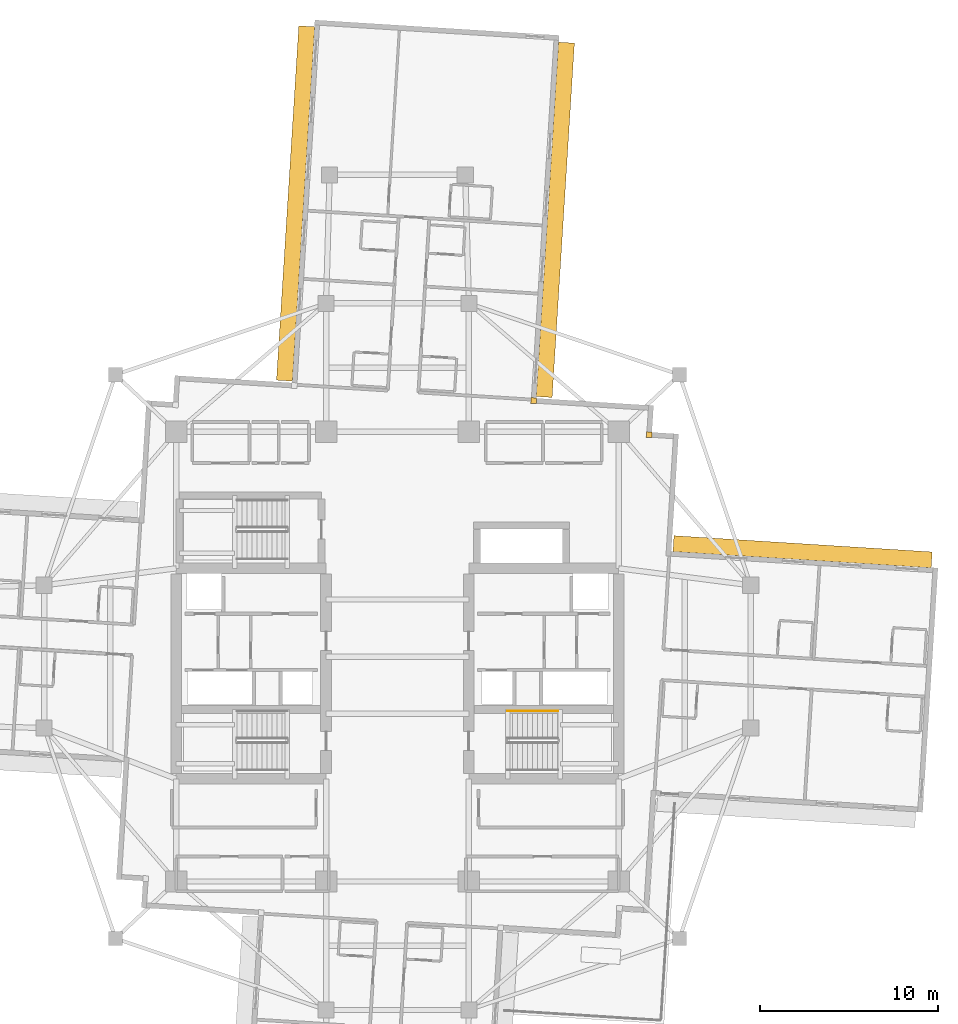
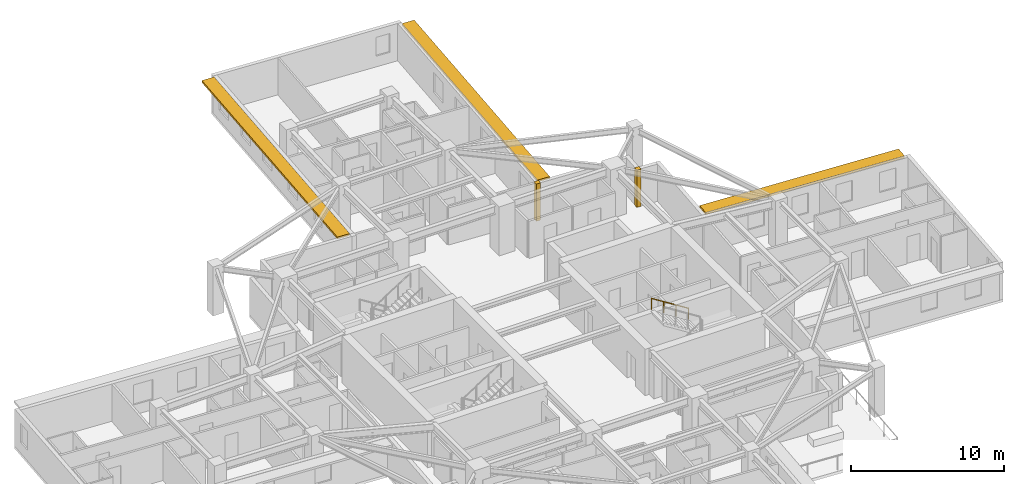
# One storey, part 14 of 14: 3 shading devices, 2 coverings, 1 railing.
"""IFC4 building model written with IfcOpenShell, lengths in metres."""

from ifc_helpers import new_model, si_unit, direction, frame, origin, origin_2d, place, context, subcontext, project, spatial, rectangle, circle, extrude, material, layer, layer_set, type_object, element, save


model = new_model("IFC4")

# Units and contexts
model_context = context("Model", 3, precision=1e-05, world=origin(), true_north=direction((0.0, 1.0)))
body_context = subcontext(model_context, "Body", "Model", "MODEL_VIEW")
ifc_project = project(units=[si_unit("LENGTHUNIT", "METRE"), si_unit("AREAUNIT", "SQUARE_METRE"), si_unit("VOLUMEUNIT", "CUBIC_METRE"), si_unit("PLANEANGLEUNIT", "RADIAN"), si_unit("MASSUNIT", "GRAM", prefix="KILO")], contexts=[model_context])

# Site, building, storey
site_placement = place(None, origin())
site = spatial("IfcSite", under=ifc_project, at=site_placement, CompositionType="ELEMENT")
building_placement = place(site_placement, origin())
building = spatial("IfcBuilding", under=site, at=building_placement, Name="Qingluan Cross Belvedere", CompositionType="ELEMENT")
storey_placement = place(building_placement, frame((0.0, 0.0, 168.300048828125)))
storey = spatial("IfcBuildingStorey", under=building, at=storey_placement, Name="L42", CompositionType="ELEMENT", Elevation=168.300048828125)

# Coverings
ifc_material_1 = material(Name="Precast concrete C45", Category="concrete")
ifc_layer_1 = layer(ifc_material_1, 0.1201171875, Name="ConcreteSpandrelCladding_120")
ifc_layer_set_1 = layer_set([ifc_layer_1], Name="Precast concrete C45")
covering_type = type_object("IfcCoveringType", Name="ConcreteSpandrelCladding_120", PredefinedType="CLADDING", material=ifc_layer_set_1)
for number, where, z_axis, x_axis, name in (
    (1, (14.10888671875, 12.438720703125, 0.0), (0.0, 0.0, 1.0), (0.998026728428, -0.062790519529, 0.0), "Corner closure L42-NE1"),
    (2, (7.635986328125, 14.348876953125, 0.0), (0.0, 0.0, 1.0), (0.998026728428, -0.062790519529, 0.0), "Corner closure L42-NE2"),
):
    element("IfcCovering", number, at=place(storey_placement, frame(where, z_axis=z_axis, x_axis=x_axis)), inside=storey, type_object=covering_type, Name=name, PredefinedType="CLADDING", context=body_context, shape_type="SweptSolid", body=[
        extrude(rectangle(XDim=0.320068359375, YDim=0.320068359375, at=origin_2d()), origin(), (0.0, 0.0, 1.0), 2.969970703125),
    ])

# Shading devices
ifc_material_2 = material(Name="Precast concrete C45", Category="concrete")
ifc_layer_2 = layer(ifc_material_2, 0.159912109375, Name="ConcreteSunshadeBand_900")
ifc_layer_set_2 = layer_set([ifc_layer_2], Name="Precast concrete C45")
shading_device_type = type_object("IfcShadingDeviceType", Name="ConcreteSunshadeBand_900", PredefinedType="USERDEFINED", material=ifc_layer_set_2)
shading_device_placement = place(storey_placement, frame((22.703857421875, 5.8759765625, 2.7900390625), z_axis=(0.0, 0.0, 1.0), x_axis=(-0.998026818306, 0.062789090939, 0.0)))
element("IfcShadingDevice", 3, at=shading_device_placement, inside=storey, type_object=shading_device_type, Name="Concrete SUNSHADE L42-EB", ObjectType="SUNSHADE", PredefinedType="USERDEFINED", context=body_context, shape_type="SweptSolid", body=[
    extrude(rectangle(XDim=14.5, YDim=0.89990234375, at=origin_2d()), origin(), (0.0, 0.0, 1.0), 0.159912109375),
])
for number, where, z_axis, x_axis, name in (
    (4, (8.8447265625, 24.48291015625, 2.7900390625), (0.0, 0.0, 1.0), (0.062791158819, 0.998026688207, 0.0), "Concrete SUNSHADE L42-NA"),
    (5, (-5.70654296875, 25.3984375, 2.7900390625), (0.0, 0.0, 1.0), (-0.062786203294, -0.998026999973, 0.0), "Concrete SUNSHADE L42-NB"),
):
    element("IfcShadingDevice", number, at=place(storey_placement, frame(where, z_axis=z_axis, x_axis=x_axis)), inside=storey, type_object=shading_device_type, Name=name, ObjectType="SUNSHADE", PredefinedType="USERDEFINED", context=body_context, shape_type="SweptSolid", body=[
        extrude(rectangle(XDim=19.89990234375, YDim=0.89990234375, at=origin_2d()), origin(), (0.0, 0.0, 1.0), 0.159912109375),
    ])

# Railing
ifc_material_3 = material(Name="Brushed stainless steel tubular handrail", Category="steel")
railing_type = type_object("IfcRailingType", Name="StairPitchHandrail_900", PredefinedType="HANDRAIL", material=ifc_material_3)
railing_placement = place(storey_placement, frame((8.97998046875, -3.050048828125, 2.127197265625)))
element("IfcRailing", 6, at=railing_placement, inside=storey, type_object=railing_type, Name="L42 ST2 stair handrail 2", PredefinedType="HANDRAIL", context=body_context, shape_type="SweptSolid", body=[
    extrude(circle(Radius=0.02392578125, at=origin_2d()), frame((0.0, 0.0, 0.8759765625), z_axis=(-0.844908973607, 0.0, 0.534910110503), x_axis=(0.0, -1.0, 0.0)), (0.0, 0.0, 1.0), 3.31396484375),
    extrude(circle(Radius=0.02099609375, at=origin_2d()), origin(), (0.0, 0.0, 1.0), 0.851806640625),
    extrude(circle(Radius=0.02099609375, at=origin_2d()), frame((-0.933349609375, 0.0, 0.5908203125)), (0.0, 0.0, 1.0), 0.851806640625),
    extrude(circle(Radius=0.02099609375, at=origin_2d()), frame((-1.86669921875, 0.0, 1.181884765625)), (0.0, 0.0, 1.0), 0.851806640625),
    extrude(circle(Radius=0.02099609375, at=origin_2d()), frame((-2.800048828125, 0.0, 1.772705078125)), (0.0, 0.0, 1.0), 0.851806640625),
])

save(model, "model.ifc")
